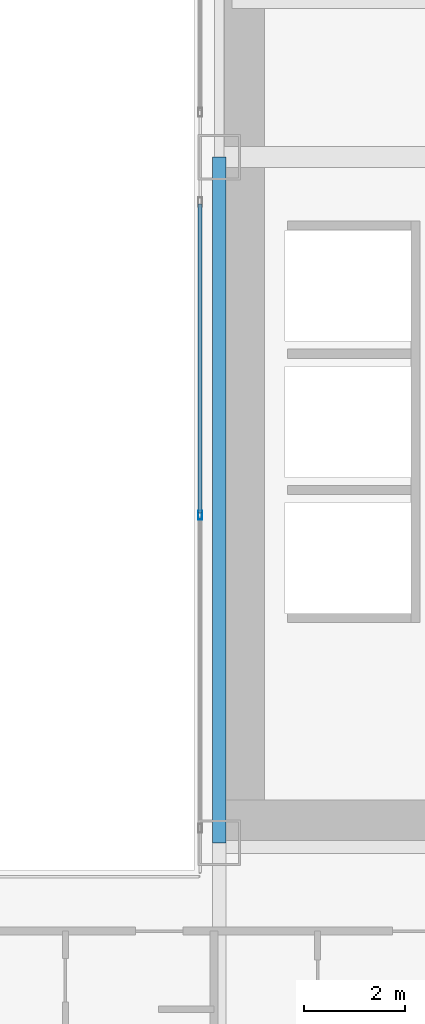
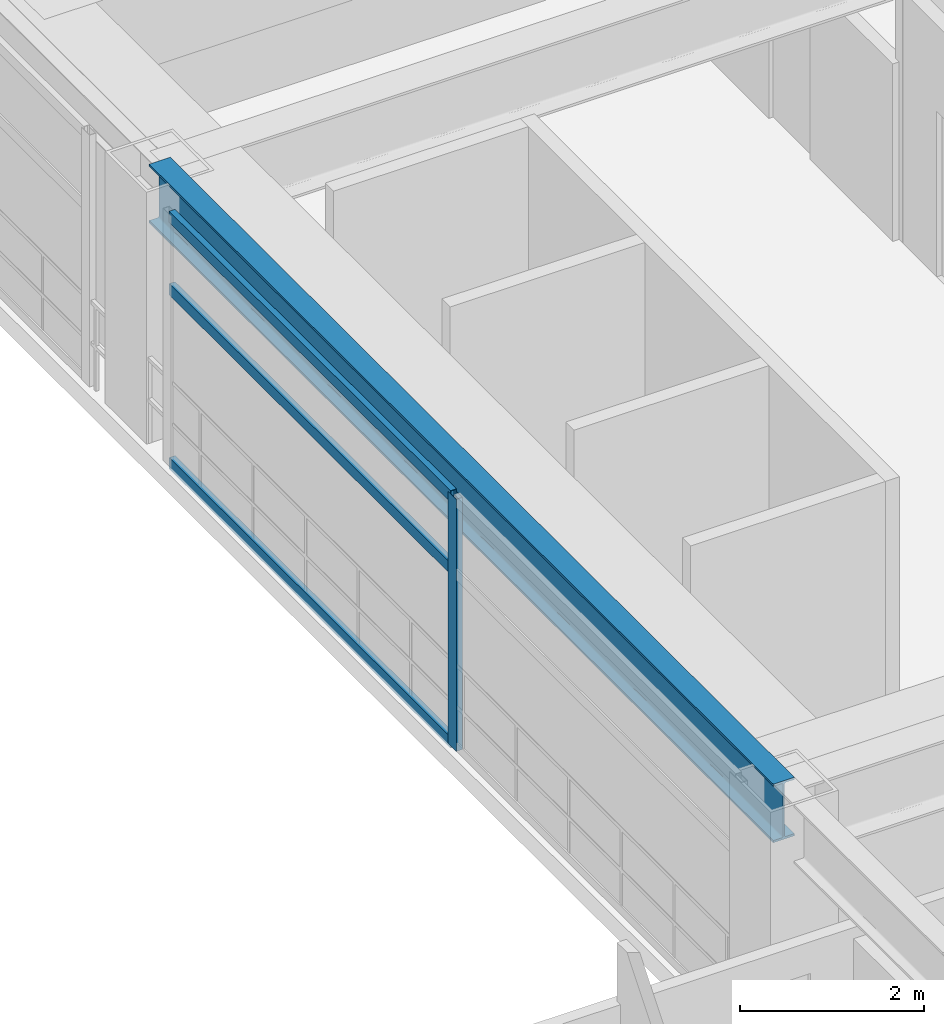
# One storey, part 15 of 41: 4 members, 1 beam, 1 element without a shape of its own.
"""IFC4 building model written with IfcOpenShell, lengths in metres."""

import ifcopenshell
import ifcopenshell.guid

model = None  # the IFC model being written
_history = None  # IfcOwnerHistory: only IFC2X3 demands one
_inside = {}  # id of a spatial element -> (the spatial element, [elements in it])
_under = {}  # id of a project, library or spatial element -> (it, [spatial elements below it])
_declared = {}  # id of a project -> (the project, [libraries it declares])
_typed = {}  # id of a type object -> (the type object, [elements of that type])
_made_of = {}  # id of a material, layer set ... -> (it, [elements and type objects made of it])


def new_model(schema):
    """Start an empty IFC model of exactly this schema.

    Asked for "IFC4X3", IfcOpenShell would pick the latest addendum, in which some entities
    have other attributes; the version numbers below select the first issue.
    IFC2X3 requires an IfcOwnerHistory on every rooted entity: one is made here for all.
    """
    global model, _history
    if schema == "IFC4X3":
        model = ifcopenshell.file(schema_version=(4, 3, 0, 0))
    else:
        model = ifcopenshell.file(schema=schema)
    _inside.clear()
    _under.clear()
    _declared.clear()
    _typed.clear()
    _made_of.clear()
    _history = None
    if model.schema == "IFC2X3":
        org = make("IfcOrganization", Name="unknown")
        user = make(
            "IfcPersonAndOrganization",
            ThePerson=make("IfcPerson", FamilyName="unknown"),
            TheOrganization=org,
        )
        app = make(
            "IfcApplication",
            ApplicationDeveloper=org,
            Version="unknown",
            ApplicationFullName="unknown",
            ApplicationIdentifier="unknown",
        )
        _history = make(
            "IfcOwnerHistory",
            OwningUser=user,
            OwningApplication=app,
            ChangeAction="ADDED",
            CreationDate=0,
        )
    return model


def make(cls, **values):
    """One entity of the class cls with the attributes given. An attribute that is None is left unset."""
    return model.create_entity(
        cls, **{name: value for name, value in values.items() if value is not None}
    )


def rooted(cls, **values):
    """An entity with a GlobalId (a new one), such as an element, a storey or a relation."""
    return make(cls, GlobalId=ifcopenshell.guid.new(), OwnerHistory=_history, **values)


def si_unit(unit_type, name, prefix=None):
    """IfcSIUnit, for example si_unit("LENGTHUNIT", "METRE", prefix="MILLI")."""
    return make("IfcSIUnit", UnitType=unit_type, Prefix=prefix, Name=name)


def assignment(units):
    """IfcUnitAssignment: the units of a project."""
    return None if units is None else make("IfcUnitAssignment", Units=units)


def point(xyz):
    """IfcCartesianPoint."""
    return None if xyz is None else make("IfcCartesianPoint", Coordinates=xyz)


def direction(xyz):
    """IfcDirection."""
    return None if xyz is None else make("IfcDirection", DirectionRatios=xyz)


def frame(location, z_axis=None, x_axis=None):
    """IfcAxis2Placement3D, a coordinate frame: its origin and axes. An axis left out is left unset."""
    return make(
        "IfcAxis2Placement3D",
        Location=point(location),
        Axis=direction(z_axis),
        RefDirection=direction(x_axis),
    )


def frame_2d(location, x_axis=None):
    """IfcAxis2Placement2D, a coordinate frame in the plane: its origin and x axis."""
    return make(
        "IfcAxis2Placement2D", Location=point(location), RefDirection=direction(x_axis)
    )


def origin():
    """The frame at (0, 0, 0) with its axes left unset."""
    return frame((0.0, 0.0, 0.0))


def origin_2d():
    """The frame at (0, 0) in the plane with its x axis left unset."""
    return frame_2d((0.0, 0.0))


def place(relative_to, where):
    """IfcLocalPlacement: puts the frame where relative to a parent placement (None: the world)."""
    return make(
        "IfcLocalPlacement", PlacementRelTo=relative_to, RelativePlacement=where
    )


def context(
    kind, dimensions, precision=None, world=None, true_north=None, identifier=None
):
    """IfcGeometricRepresentationContext, for example the 3D "Model" context."""
    return make(
        "IfcGeometricRepresentationContext",
        ContextIdentifier=identifier,
        ContextType=kind,
        CoordinateSpaceDimension=dimensions,
        Precision=precision,
        WorldCoordinateSystem=world,
        TrueNorth=true_north,
    )


def subcontext(parent, identifier, kind, view, scale=None):
    """IfcGeometricRepresentationSubContext, for example "Body" below "Model"."""
    return make(
        "IfcGeometricRepresentationSubContext",
        ContextIdentifier=identifier,
        ContextType=kind,
        ParentContext=parent,
        TargetScale=scale,
        TargetView=view,
    )


def project(units=None, contexts=None):
    """IfcProject with its units and contexts."""
    return rooted(
        "IfcProject",
        Name="project",
        RepresentationContexts=contexts,
        UnitsInContext=assignment(units),
    )


def spatial(cls, under=None, at=None, **own):
    """A site, building, storey or space (cls), placed at a placement, below another one or the project."""
    s = rooted(cls, ObjectPlacement=at, **own)
    if under is not None:
        _under.setdefault(under.id(), (under, []))[1].append(s)
    return s


def profile(cls, at=None, kind="AREA", **sizes):
    """A parametric profile (cls). Its sizes go by their IFC names, for example OverallWidth=200.0."""
    return make(cls, ProfileType=kind, Position=at, **sizes)


def hollow_rectangle(**sizes):
    """IfcRectangleHollowProfileDef."""
    return profile("IfcRectangleHollowProfileDef", **sizes)


def i_section(**sizes):
    """IfcIShapeProfileDef."""
    return profile("IfcIShapeProfileDef", **sizes)


def extrude(swept, where, along, depth):
    """IfcExtrudedAreaSolid: the profile swept, set in the frame where, extruded along a direction by depth."""
    return make(
        "IfcExtrudedAreaSolid",
        SweptArea=swept,
        Position=where,
        ExtrudedDirection=direction(along),
        Depth=depth,
    )


def shape(context_of_items, identifier, shape_type, items):
    """IfcShapeRepresentation: the items that make up one representation, for example the "Body"."""
    return make(
        "IfcShapeRepresentation",
        ContextOfItems=context_of_items,
        RepresentationIdentifier=identifier,
        RepresentationType=shape_type,
        Items=items,
    )


def source(mapping_origin, context_of_items, identifier, shape_type, items):
    """IfcRepresentationMap: a shape defined once, which mapped items show again and again."""
    return make(
        "IfcRepresentationMap",
        MappingOrigin=mapping_origin,
        MappedRepresentation=shape(context_of_items, identifier, shape_type, items),
    )


def transform(
    local_origin,
    x_axis=None,
    y_axis=None,
    z_axis=None,
    scale=None,
    scale2=None,
    scale3=None,
    uniform=True,
):
    """IfcCartesianTransformationOperator3D, or its non-uniform kind. x_axis, y_axis, z_axis: its Axis1, 2, 3."""
    if uniform:
        return make(
            "IfcCartesianTransformationOperator3D",
            Axis1=direction(x_axis),
            Axis2=direction(y_axis),
            LocalOrigin=point(local_origin),
            Scale=scale,
            Axis3=direction(z_axis),
        )
    return make(
        "IfcCartesianTransformationOperator3DnonUniform",
        Axis1=direction(x_axis),
        Axis2=direction(y_axis),
        LocalOrigin=point(local_origin),
        Scale=scale,
        Axis3=direction(z_axis),
        Scale2=scale2,
        Scale3=scale3,
    )


def mapped(mapping_source, mapping_target):
    """IfcMappedItem: shows the shape of a source again, moved by a transform."""
    return make(
        "IfcMappedItem", MappingSource=mapping_source, MappingTarget=mapping_target
    )


def material(Name=None, Category=None):
    """IfcMaterial."""
    return make("IfcMaterial", Name=Name, Category=Category)


def layer(
    of_material, thickness, ventilated=None, Name=None, Category=None, Priority=None
):
    """IfcMaterialLayer: one layer of a wall or slab, of a material (None: an air gap)."""
    return make(
        "IfcMaterialLayer",
        Material=of_material,
        LayerThickness=thickness,
        IsVentilated=ventilated,
        Name=Name,
        Category=Category,
        Priority=Priority,
    )


def layer_set(layers, Name=None):
    """IfcMaterialLayerSet."""
    return make("IfcMaterialLayerSet", MaterialLayers=layers, LayerSetName=Name)


def material_profile(
    of_material, cross_section, Name=None, Category=None, Priority=None
):
    """IfcMaterialProfile: a cross section and its material."""
    return make(
        "IfcMaterialProfile",
        Name=Name,
        Material=of_material,
        Profile=cross_section,
        Priority=Priority,
        Category=Category,
    )


def profile_set(profiles, Name=None, composite=None):
    """IfcMaterialProfileSet."""
    return make(
        "IfcMaterialProfileSet",
        Name=Name,
        MaterialProfiles=profiles,
        CompositeProfile=composite,
    )


def made_of(thing, what):
    """Note that an element or type object is made of a material, layer set ...; save() writes the relation."""
    if what is not None:
        _made_of.setdefault(what.id(), (what, []))[1].append(thing)
    return thing


def type_object(cls, material=None, **own):
    """A type object (cls), such as IfcWallType, which elements share."""
    return made_of(rooted(cls, **own), material)


def element(
    cls,
    number,
    at=None,
    inside=None,
    cuts=None,
    type_object=None,
    material=None,
    context=None,
    identifier="Body",
    shape_type=None,
    held_by="IfcProductDefinitionShape",
    body=None,
    shapes=None,
    **own,
):
    """One element of the class cls, such as IfcWall. Its Tag is "e" and its number.

    at: its placement. inside: the storey or other place that contains it. cuts: it is an
    opening in that element (IfcRelVoidsElement). A single representation is given by context,
    identifier, shape_type and body (its items); several are given by shapes. held_by: the class
    of the entity that holds the representations. save() writes the other relations.
    """
    e = rooted(cls, Tag="e%d" % number, ObjectPlacement=at, **own)
    if body is not None:
        shapes = [shape(context, identifier, shape_type, body)]
    if shapes is not None:
        e.Representation = make(held_by, Representations=shapes)
    if inside is not None:
        _inside.setdefault(inside.id(), (inside, []))[1].append(e)
    if cuts is not None:
        rooted(
            "IfcRelVoidsElement", RelatingBuildingElement=cuts, RelatedOpeningElement=e
        )
    if type_object is not None:
        _typed.setdefault(type_object.id(), (type_object, []))[1].append(e)
    return made_of(e, material)


def aggregate(whole, parts):
    """IfcRelAggregates: a whole, such as a stair, and the parts it consists of."""
    return rooted("IfcRelAggregates", RelatingObject=whole, RelatedObjects=parts)


def save(model, path):
    """Write the relations noted so far, then the file.

    IfcRelAggregates (storeys below a building ...), IfcRelContainedInSpatialStructure (elements
    in a storey), IfcRelDefinesByType, IfcRelAssociatesMaterial and IfcRelDeclares: one each for
    every whole, place, type object, material and project.
    """
    for whole, parts in _under.values():
        aggregate(whole, parts)
    for where, things in _inside.values():
        rooted(
            "IfcRelContainedInSpatialStructure",
            RelatedElements=things,
            RelatingStructure=where,
        )
    for kind, things in _typed.values():
        rooted("IfcRelDefinesByType", RelatedObjects=things, RelatingType=kind)
    for what, things in _made_of.values():
        rooted("IfcRelAssociatesMaterial", RelatedObjects=things, RelatingMaterial=what)
    for by, libraries in _declared.values():
        rooted("IfcRelDeclares", RelatingContext=by, RelatedDefinitions=libraries)
    model.write(path)


model = new_model("IFC4")

# Units and contexts
model_context = context("Model", 3, precision=1e-05, world=origin(), true_north=direction((0.0, 1.0)))
body_context = subcontext(model_context, "Body", "Model", "MODEL_VIEW")
ifc_project = project(units=[si_unit("LENGTHUNIT", "METRE"), si_unit("AREAUNIT", "SQUARE_METRE"), si_unit("VOLUMEUNIT", "CUBIC_METRE"), si_unit("PLANEANGLEUNIT", "RADIAN"), si_unit("MASSUNIT", "GRAM", prefix="KILO")], contexts=[model_context])

# Site, building, storey
site_placement = place(None, origin())
site = spatial("IfcSite", under=ifc_project, at=site_placement, CompositionType="ELEMENT")
building_placement = place(site_placement, origin())
building = spatial("IfcBuilding", under=site, at=building_placement, Name="Ocotamira Hotel", CompositionType="ELEMENT")
storey_placement = place(building_placement, frame((0.0, 0.0, 38.39990234375)))
storey = spatial("IfcBuildingStorey", under=building, at=storey_placement, Name="L08", CompositionType="ELEMENT", Elevation=38.39990234375)

# Beam
ifc_material_1 = material(Name="Steel ASTM A992 Grade 50", Category="steel")
ifc_material_profile_1 = material_profile(ifc_material_1, i_section(OverallWidth=0.26611328125, OverallDepth=0.779052734375, WebThickness=0.0166015625, FlangeThickness=0.030029296875, FilletRadius=0.01806640625, at=origin_2d()), Name="W30X148")
ifc_profile_set_1 = profile_set([ifc_material_profile_1], Name="Steel ASTM A992 Grade 50")
beam_type = type_object("IfcBeamType", Name="BM-GIRD-W30X148", PredefinedType="BEAM", material=ifc_profile_set_1)
shared_shape_1 = source(origin(), body_context, "Body", "SweptSolid", [
    extrude(i_section(OverallWidth=0.26611328125, OverallDepth=0.779052734375, WebThickness=0.0166015625, FlangeThickness=0.030029296875, FilletRadius=0.01806640625, at=origin_2d()), origin(), (0.0, 0.0, 1.0), 13.599853515625),
])
beam_placement = place(storey_placement, frame((40.5, 14.550048828125, 2.960693359375), z_axis=(0.0, 1.0, 0.0), x_axis=(-1.0, 0.0, 0.0)))
element("IfcBeam", 1, at=beam_placement, inside=storey, type_object=beam_type, Name="L08 Beam X40.5 Y14.55-28.15", PredefinedType="BEAM", context=body_context, shape_type="MappedRepresentation", body=[
    mapped(shared_shape_1, transform((0.0, 0.0, 0.0), scale=1.0)),
])

# Curtain wall, members
ifc_material_2 = material(Name="Anodised pale-metal aluminium and solar glass", Category="aluminium")
ifc_layer = layer(ifc_material_2, 0.159912109375)
ifc_layer_set = layer_set([ifc_layer], Name="Anodised pale-metal aluminium and solar glass")
curtain_wall_type = type_object("IfcCurtainWallType", Name="CW-SYS6-ATR", PredefinedType="NOTDEFINED", material=ifc_layer_set)
curtain_wall_placement = place(storey_placement, origin())
curtain_wall = element("IfcCurtainWall", 2, at=curtain_wall_placement, inside=storey, type_object=curtain_wall_type, Name="L08 Curtain Wall CW-6 CW-L08-ATRE1", PredefinedType="NOTDEFINED")
ifc_material_3 = material(Name="Anodised pale-metal aluminium 6063-T6", Category="aluminium")
ifc_material_profile_2 = material_profile(ifc_material_3, hollow_rectangle(XDim=0.080078125, YDim=0.179931640625, WallThickness=0.006103515625, at=origin_2d()), Name="HSS180X80X6")
ifc_profile_set_2 = profile_set([ifc_material_profile_2], Name="Anodised pale-metal aluminium 6063-T6")
member_type_1 = type_object("IfcMemberType", Name="CWM-180X75", PredefinedType="MULLION", material=ifc_profile_set_2)
shared_shape_2 = source(origin(), body_context, "Body", "SweptSolid", [
    extrude(hollow_rectangle(XDim=0.080078125, YDim=0.179931640625, WallThickness=0.006103515625, at=origin_2d()), origin(), (0.0, 0.0, 1.0), 3.35009765625),
])
member_1_placement = place(storey_placement, frame((40.1201171875, 21.050048828125, 0.0), z_axis=(0.0, 0.0, 1.0), x_axis=(-1.0, 0.0, 0.0)))
member_1 = element("IfcMember", 3, at=member_1_placement, type_object=member_type_1, Name="CW-6 mullion 2", PredefinedType="MULLION", context=body_context, shape_type="MappedRepresentation", body=[
    mapped(shared_shape_2, transform((0.0, 0.0, 0.0), scale=1.0)),
])
ifc_material_profile_3 = material_profile(ifc_material_3, hollow_rectangle(XDim=0.074951171875, YDim=0.14990234375, WallThickness=0.006103515625, at=origin_2d()), Name="HSS150X75X6")
ifc_profile_set_3 = profile_set([ifc_material_profile_3], Name="Anodised pale-metal aluminium 6063-T6")
member_type_2 = type_object("IfcMemberType", Name="CWT-150X75", PredefinedType="USERDEFINED", material=ifc_profile_set_3)
shared_shape_3 = source(origin(), body_context, "Body", "SweptSolid", [
    extrude(hollow_rectangle(XDim=0.074951171875, YDim=0.14990234375, WallThickness=0.006103515625, at=origin_2d()), origin(), (0.0, 0.0, 1.0), 6.1298828125),
])
member_2_placement = place(storey_placement, frame((40.1201171875, 21.090087890625, 0.03759765625), z_axis=(0.0, 1.0, 0.0), x_axis=(-1.0, 0.0, 0.0)))
member_2 = element("IfcMember", 4, at=member_2_placement, type_object=member_type_2, Name="CW-6 transom 2.1", ObjectType="TRANSOM", PredefinedType="USERDEFINED", context=body_context, shape_type="MappedRepresentation", body=[
    mapped(shared_shape_3, transform((0.0, 0.0, 0.0), scale=1.0)),
])
member_3_placement = place(storey_placement, frame((40.1201171875, 21.090087890625, 2.35009765625), z_axis=(0.0, 1.0, 0.0), x_axis=(-1.0, 0.0, 0.0)))
member_3 = element("IfcMember", 5, at=member_3_placement, type_object=member_type_2, Name="CW-6 transom 2.2", ObjectType="TRANSOM", PredefinedType="USERDEFINED", context=body_context, shape_type="MappedRepresentation", body=[
    mapped(shared_shape_3, transform((0.0, 0.0, 0.0), scale=1.0)),
])
member_4_placement = place(storey_placement, frame((40.1201171875, 21.090087890625, 3.3125), z_axis=(0.0, 1.0, 0.0), x_axis=(-1.0, 0.0, 0.0)))
member_4 = element("IfcMember", 6, at=member_4_placement, type_object=member_type_2, Name="CW-6 transom 2.3", ObjectType="TRANSOM", PredefinedType="USERDEFINED", context=body_context, shape_type="MappedRepresentation", body=[
    mapped(shared_shape_3, transform((0.0, 0.0, 0.0), scale=1.0)),
])
aggregate(curtain_wall, [member_1, member_2, member_3, member_4])

save(model, "model.ifc")
